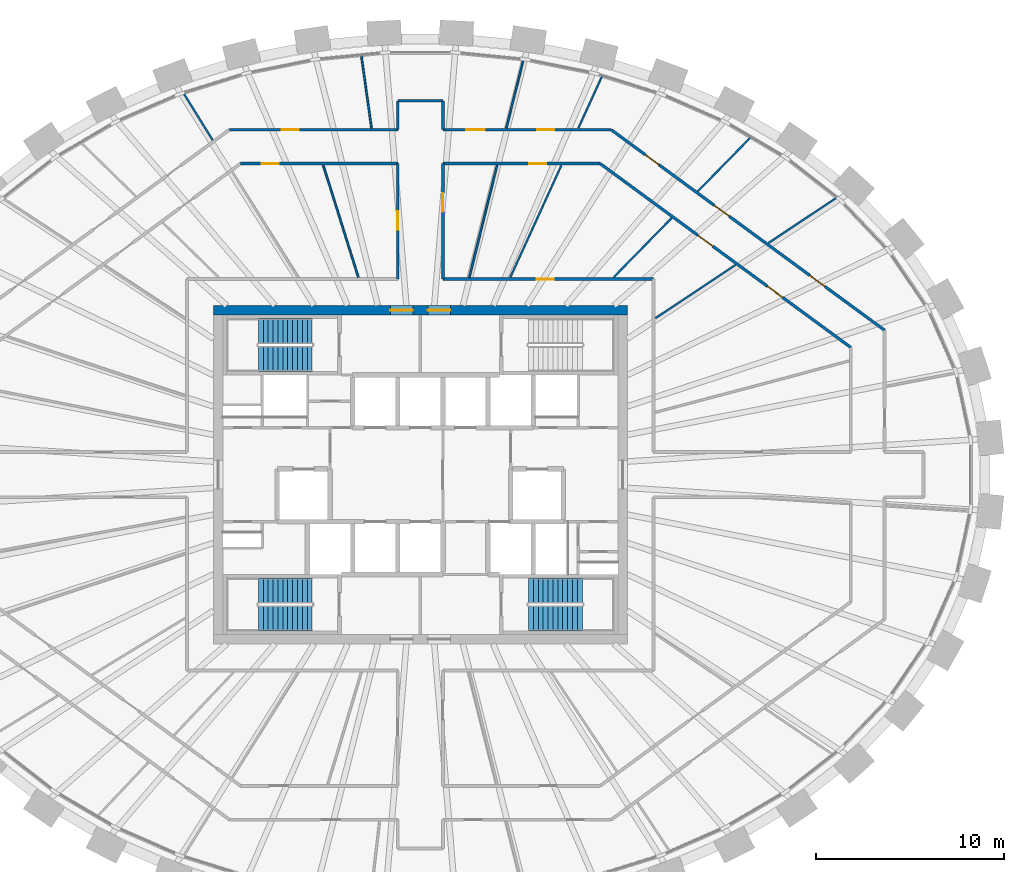
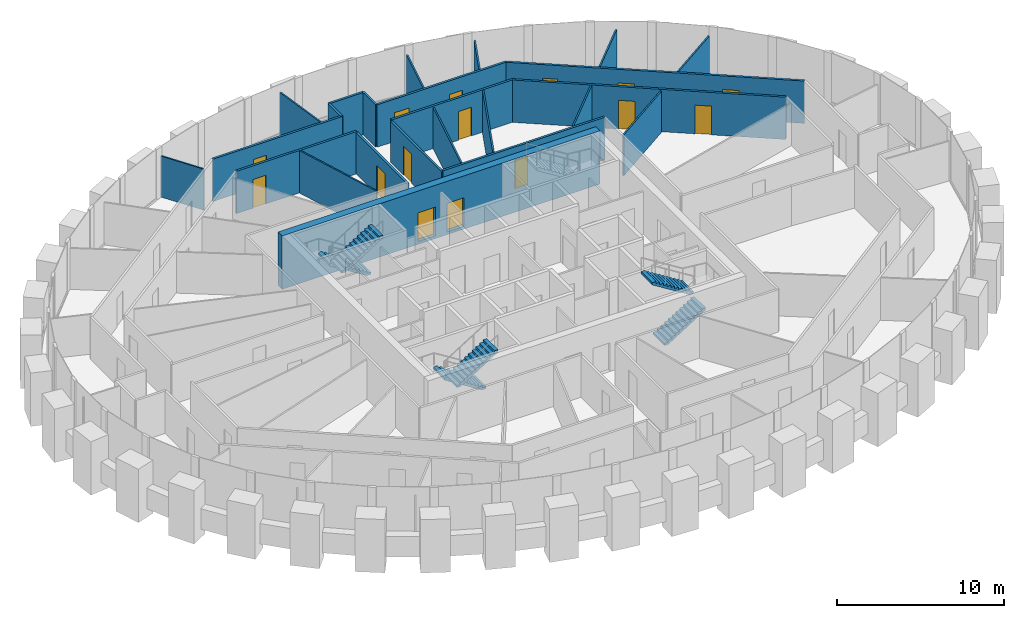
# One storey, part 10 of 12: 24 walls, 15 doors, 6 stair flights, 15 openings, 3 elements without a shape of their own.
"""IFC4 building model written with IfcOpenShell, lengths in metres."""

from ifc_helpers import new_model, si_unit, direction, frame, frame_2d, origin, place, context, subcontext, project, spatial, polyline, rectangle, outline, extrude, source, transform, mapped, material, layer, layer_set, type_object, element, fill, aggregate, save


model = new_model("IFC4")

# Units and contexts
model_context = context("Model", 3, precision=1e-05, world=origin(), true_north=direction((0.0, 1.0)))
body_context = subcontext(model_context, "Body", "Model", "MODEL_VIEW")
ifc_project = project(units=[si_unit("LENGTHUNIT", "METRE"), si_unit("AREAUNIT", "SQUARE_METRE"), si_unit("VOLUMEUNIT", "CUBIC_METRE"), si_unit("PLANEANGLEUNIT", "RADIAN"), si_unit("MASSUNIT", "GRAM", prefix="KILO")], contexts=[model_context])

# Site, building, storey
site_placement = place(None, origin())
site = spatial("IfcSite", under=ifc_project, at=site_placement, CompositionType="ELEMENT")
building_placement = place(site_placement, origin())
building = spatial("IfcBuilding", under=site, at=building_placement, Name="Embergate Tower", CompositionType="ELEMENT")
storey_placement = place(building_placement, frame((0.0, 0.0, 309.10009765625)))
storey = spatial("IfcBuildingStorey", under=building, at=storey_placement, Name="L72", CompositionType="ELEMENT", Elevation=309.10009765625)

# Wall, openings, doors
ifc_material_1 = material(Name="Concrete C50", Category="concrete")
ifc_layer_1 = layer(ifc_material_1, 0.5)
ifc_layer_set_1 = layer_set([ifc_layer_1], Name="Concrete C50")
wall_type_1 = type_object("IfcWallType", Name="Core outer wall C50 500", PredefinedType="SHEAR", material=ifc_layer_set_1)
shared_shape_1 = source(origin(), body_context, "Body", "SweptSolid", [
    extrude(rectangle(XDim=22.0, YDim=0.5, at=frame_2d((11.0, 0.0))), origin(), (0.0, 0.0, 1.0), 3.900146484375),
])
wall_1_placement = place(storey_placement, frame((-11.0, 8.75, -0.2001953125), z_axis=(0.0, 0.0, 1.0), x_axis=(1.0, 0.0, 0.0)))
wall_1 = element("IfcWall", 1, at=wall_1_placement, inside=storey, type_object=wall_type_1, Name="CW-L72-N", PredefinedType="SHEAR", context=body_context, shape_type="MappedRepresentation", body=[
    mapped(shared_shape_1, transform((0.0, 0.0, 0.0))),
])
shared_shape_2 = source(origin(), body_context, "Body", "SweptSolid", [
    extrude(rectangle(XDim=1.199951171875, YDim=2.10009765625, at=frame_2d((0.60009765625, 1.050048828125))), frame((0.0, 0.260009765625, 0.0), z_axis=(0.0, -1.0, 0.0), x_axis=(1.0, 0.0, 0.0)), (0.0, 0.0, 1.0), 0.52001953125),
])
opening_1_placement = place(wall_1_placement, frame((9.39990234375, 0.0, 0.199951171875)))
opening_1 = element("IfcOpeningElement", 2, at=opening_1_placement, cuts=wall_1, Name="Opening IF-1", PredefinedType="OPENING", context=body_context, shape_type="MappedRepresentation", body=[
    mapped(shared_shape_2, transform((0.0, 0.0, 0.0))),
])
opening_2_placement = place(wall_1_placement, frame((11.39990234375, 0.0, 0.199951171875)))
opening_2 = element("IfcOpeningElement", 3, at=opening_2_placement, cuts=wall_1, Name="Opening IF-1", PredefinedType="OPENING", context=body_context, shape_type="MappedRepresentation", body=[
    mapped(shared_shape_2, transform((0.0, 0.0, 0.0))),
])
ifc_material_2 = material(Name="Escape fire door 1200")
door_type_1 = type_object("IfcDoorType", Name="Escape fire door 1200", OperationType="SINGLE_SWING_LEFT", PredefinedType="DOOR", material=ifc_material_2)
shared_shape_3 = source(origin(), body_context, "Body", "SweptSolid", [
    extrude(rectangle(XDim=1.199951171875, YDim=2.10009765625, at=frame_2d((0.60009765625, 1.050048828125))), frame((0.0, 0.02490234375, 0.0), z_axis=(0.0, -1.0, 0.0), x_axis=(1.0, 0.0, 0.0)), (0.0, 0.0, 1.0), 0.050048828125),
])
door_1_placement = place(opening_1_placement, origin())
door_1 = element("IfcDoor", 4, at=door_1_placement, inside=storey, type_object=door_type_1, Name="IF-1 door", OperationType="SINGLE_SWING_RIGHT", OverallHeight=2.10009765625, OverallWidth=1.199951171875, PredefinedType="DOOR", context=body_context, shape_type="MappedRepresentation", body=[
    mapped(shared_shape_3, transform((0.0, 0.0, 0.0))),
])
fill(opening_1, door_1)
door_2_placement = place(opening_2_placement, origin())
door_2 = element("IfcDoor", 5, at=door_2_placement, inside=storey, type_object=door_type_1, Name="IF-1 door", OperationType="SINGLE_SWING_LEFT", OverallHeight=2.10009765625, OverallWidth=1.199951171875, PredefinedType="DOOR", context=body_context, shape_type="MappedRepresentation", body=[
    mapped(shared_shape_3, transform((0.0, 0.0, 0.0))),
])
fill(opening_2, door_2)

# Wall
ifc_material_3 = material(Name="Corridor wall dry-lined 150")
ifc_layer_2 = layer(ifc_material_3, 0.14990234375)
ifc_layer_set_2 = layer_set([ifc_layer_2], Name="Corridor wall dry-lined 150")
wall_type_2 = type_object("IfcWallType", Name="Corridor wall dry-lined 150", PredefinedType="PARTITIONING", material=ifc_layer_set_2)
shared_shape_4 = source(origin(), body_context, "Body", "SweptSolid", [
    extrude(rectangle(XDim=2.39990234375, YDim=0.14990234375, at=frame_2d((1.199951171875, 0.0))), origin(), (0.0, 0.0, 1.0), 3.099853515625),
])
wall_2_placement = place(storey_placement, frame((-1.199951171875, 19.8779296875, 0.0), z_axis=(0.0, 0.0, 1.0), x_axis=(1.0, 0.0, 0.0)))
element("IfcWall", 6, at=wall_2_placement, inside=storey, type_object=wall_type_2, Name="IP-2 wall", PredefinedType="PARTITIONING", context=body_context, shape_type="MappedRepresentation", body=[
    mapped(shared_shape_4, transform((0.0, 0.0, 0.0))),
])

# Wall, opening, door
shared_shape_5 = source(origin(), body_context, "Body", "SweptSolid", [
    extrude(rectangle(XDim=11.199951171875, YDim=0.14990234375, at=frame_2d((5.60009765625, 0.0))), origin(), (0.0, 0.0, 1.0), 3.099853515625),
])
wall_3_placement = place(storey_placement, frame((12.39990234375, 10.39990234375, 0.0), z_axis=(0.0, 0.0, 1.0), x_axis=(-1.0, 0.0, 0.0)))
wall_3 = element("IfcWall", 7, at=wall_3_placement, inside=storey, type_object=wall_type_2, Name="IP-2 wall", PredefinedType="PARTITIONING", context=body_context, shape_type="MappedRepresentation", body=[
    mapped(shared_shape_5, transform((0.0, 0.0, 0.0))),
])
shared_shape_6 = source(origin(), body_context, "Body", "SweptSolid", [
    extrude(rectangle(XDim=0.89990234375, YDim=2.10009765625, at=frame_2d((0.449951171875, 1.050048828125))), frame((0.0, 0.0849609375, 0.0), z_axis=(0.0, -1.0, 0.0), x_axis=(1.0, 0.0, 0.0)), (0.0, 0.0, 1.0), 0.169921875),
])
opening_3_placement = place(wall_3_placement, frame((5.31591796875, 0.0, 0.0)))
opening_3 = element("IfcOpeningElement", 8, at=opening_3_placement, cuts=wall_3, Name="Opening IF-1c", PredefinedType="OPENING", context=body_context, shape_type="MappedRepresentation", body=[
    mapped(shared_shape_6, transform((0.0, 0.0, 0.0))),
])
ifc_material_4 = material(Name="Escape fire door 900")
door_type_2 = type_object("IfcDoorType", Name="Escape fire door 900", OperationType="SINGLE_SWING_LEFT", PredefinedType="DOOR", material=ifc_material_4)
shared_shape_7 = source(origin(), body_context, "Body", "SweptSolid", [
    extrude(rectangle(XDim=0.89990234375, YDim=2.10009765625, at=frame_2d((0.449951171875, 1.050048828125))), frame((0.0, 0.02490234375, 0.0), z_axis=(0.0, -1.0, 0.0), x_axis=(1.0, 0.0, 0.0)), (0.0, 0.0, 1.0), 0.050048828125),
])
door_3_placement = place(opening_3_placement, origin())
door_3 = element("IfcDoor", 9, at=door_3_placement, inside=storey, type_object=door_type_2, Name="IF-1 door", OperationType="SINGLE_SWING_RIGHT", OverallHeight=2.10009765625, OverallWidth=0.89990234375, PredefinedType="DOOR", context=body_context, shape_type="MappedRepresentation", body=[
    mapped(shared_shape_7, transform((0.0, 0.0, 0.0))),
])
fill(opening_3, door_3)

shared_shape_8 = source(origin(), body_context, "Body", "SweptSolid", [
    extrude(rectangle(XDim=6.14111328125, YDim=0.14990234375, at=frame_2d((3.070556640625, 0.0))), origin(), (0.0, 0.0, 1.0), 3.0),
])
wall_4_placement = place(storey_placement, frame((-1.199951171875, 10.39990234375, 0.0), z_axis=(0.0, 0.0, 1.0), x_axis=(0.0, 1.0, 0.0)))
wall_4 = element("IfcWall", 10, at=wall_4_placement, inside=storey, type_object=wall_type_2, Name="IP-2 wall", PredefinedType="PARTITIONING", context=body_context, shape_type="MappedRepresentation", body=[
    mapped(shared_shape_8, transform((0.0, 0.0, 0.0))),
])
shared_shape_9 = source(origin(), body_context, "Body", "SweptSolid", [
    extrude(rectangle(XDim=1.0, YDim=2.10009765625, at=frame_2d((0.5, 1.050048828125))), frame((0.0, 0.0849609375, 0.0), z_axis=(0.0, -1.0, 0.0), x_axis=(1.0, 0.0, 0.0)), (0.0, 0.0, 1.0), 0.169921875),
])
opening_4_placement = place(wall_4_placement, frame((2.615966796875, 0.0, 0.0)))
opening_4 = element("IfcOpeningElement", 11, at=opening_4_placement, cuts=wall_4, Name="Opening ID-2", PredefinedType="OPENING", context=body_context, shape_type="MappedRepresentation", body=[
    mapped(shared_shape_9, transform((0.0, 0.0, 0.0))),
])
ifc_material_5 = material(Name="Interior door 1000")
door_type_3 = type_object("IfcDoorType", Name="Interior door 1000", OperationType="SINGLE_SWING_LEFT", PredefinedType="DOOR", material=ifc_material_5)
shared_shape_10 = source(origin(), body_context, "Body", "SweptSolid", [
    extrude(rectangle(XDim=1.0, YDim=2.10009765625, at=frame_2d((0.5, 1.050048828125))), frame((0.0, 0.02490234375, 0.0), z_axis=(0.0, -1.0, 0.0), x_axis=(1.0, 0.0, 0.0)), (0.0, 0.0, 1.0), 0.050048828125),
])
door_4_placement = place(opening_4_placement, origin())
door_4 = element("IfcDoor", 12, at=door_4_placement, inside=storey, type_object=door_type_3, Name="ID-2 door", OperationType="SINGLE_SWING_LEFT", OverallHeight=2.10009765625, OverallWidth=1.0, PredefinedType="DOOR", context=body_context, shape_type="MappedRepresentation", body=[
    mapped(shared_shape_10, transform((0.0, 0.0, 0.0))),
])
fill(opening_4, door_4)

wall_5_placement = place(storey_placement, frame((1.199951171875, 16.541015625, 0.0), z_axis=(0.0, 0.0, 1.0), x_axis=(0.0, -1.0, 0.0)))
wall_5 = element("IfcWall", 13, at=wall_5_placement, inside=storey, type_object=wall_type_2, Name="IP-2 wall", PredefinedType="PARTITIONING", context=body_context, shape_type="MappedRepresentation", body=[
    mapped(shared_shape_8, transform((0.0, 0.0, 0.0))),
])
opening_5_placement = place(wall_5_placement, frame((1.571044921875, 0.0, 0.0)))
opening_5 = element("IfcOpeningElement", 14, at=opening_5_placement, cuts=wall_5, Name="Opening ID-2", PredefinedType="OPENING", context=body_context, shape_type="MappedRepresentation", body=[
    mapped(shared_shape_9, transform((0.0, 0.0, 0.0))),
])
door_5_placement = place(opening_5_placement, origin())
door_5 = element("IfcDoor", 15, at=door_5_placement, inside=storey, type_object=door_type_3, Name="ID-2 door", OperationType="SINGLE_SWING_RIGHT", OverallHeight=2.10009765625, OverallWidth=1.0, PredefinedType="DOOR", context=body_context, shape_type="MappedRepresentation", body=[
    mapped(shared_shape_10, transform((0.0, 0.0, 0.0))),
])
fill(opening_5, door_5)

# Walls
ifc_material_6 = material(Name="Partition dry-lined 100")
ifc_layer_3 = layer(ifc_material_6, 0.10009765625)
ifc_layer_set_3 = layer_set([ifc_layer_3], Name="Partition dry-lined 100")
wall_type_3 = type_object("IfcWallType", Name="Partition dry-lined 100", PredefinedType="PARTITIONING", material=ifc_layer_set_3)
shared_shape_11 = source(origin(), body_context, "Body", "SweptSolid", [
    extrude(rectangle(XDim=2.9609375, YDim=0.10009765625, at=frame_2d((1.48046875, 0.0))), origin(), (0.0, 0.0, 1.0), 3.0),
])
wall_6_placement = place(storey_placement, frame((-11.035888671875, 17.780029296875, 0.0), z_axis=(0.0, 0.0, 1.0), x_axis=(-0.527231490146, 0.849721693143, 0.0)))
element("IfcWall", 16, at=wall_6_placement, inside=storey, type_object=wall_type_3, Name="IP-1 wall", PredefinedType="PARTITIONING", context=body_context, shape_type="MappedRepresentation", body=[
    mapped(shared_shape_11, transform((0.0, 0.0, 0.0))),
])
shared_shape_12 = source(origin(), body_context, "Body", "SweptSolid", [
    extrude(rectangle(XDim=3.7626953125, YDim=0.10009765625, at=frame_2d((1.88134765625, 0.0))), origin(), (0.0, 0.0, 1.0), 3.0),
])
wall_7_placement = place(storey_placement, frame((4.573974609375, 18.427978515625, 0.0), z_axis=(0.0, 0.0, 1.0), x_axis=(0.240779579239, 0.970579823725, 0.0)))
element("IfcWall", 17, at=wall_7_placement, inside=storey, type_object=wall_type_3, Name="IP-1 wall", PredefinedType="PARTITIONING", context=body_context, shape_type="MappedRepresentation", body=[
    mapped(shared_shape_12, transform((0.0, 0.0, 0.0))),
])
shared_shape_13 = source(origin(), body_context, "Body", "SweptSolid", [
    extrude(rectangle(XDim=6.148193359375, YDim=0.10009765625, at=frame_2d((3.07421875, 0.0))), origin(), (0.0, 0.0, 1.0), 3.0),
])
wall_8_placement = place(storey_placement, frame((2.60302734375, 10.487060546875, 0.0), z_axis=(0.0, 0.0, 1.0), x_axis=(0.240881463777, 0.970554542727, 0.0)))
element("IfcWall", 18, at=wall_8_placement, inside=storey, type_object=wall_type_3, Name="IP-1 wall", PredefinedType="PARTITIONING", context=body_context, shape_type="MappedRepresentation", body=[
    mapped(shared_shape_13, transform((0.0, 0.0, 0.0))),
])
shared_shape_14 = source(origin(), body_context, "Body", "SweptSolid", [
    extrude(rectangle(XDim=4.36279296875, YDim=0.10009765625, at=frame_2d((2.181396484375, 0.0))), origin(), (0.0, 0.0, 1.0), 3.0),
])
wall_9_placement = place(storey_placement, frame((18.510009765625, 12.320068359375, 0.0), z_axis=(0.0, 0.0, 1.0), x_axis=(0.832514899446, 0.554002655409, 0.0)))
element("IfcWall", 19, at=wall_9_placement, inside=storey, type_object=wall_type_3, Name="IP-1 wall", PredefinedType="PARTITIONING", context=body_context, shape_type="MappedRepresentation", body=[
    mapped(shared_shape_14, transform((0.0, 0.0, 0.0))),
])
shared_shape_15 = source(origin(), body_context, "Body", "SweptSolid", [
    extrude(rectangle(XDim=5.103271484375, YDim=0.10009765625, at=frame_2d((2.5517578125, 0.0))), origin(), (0.0, 0.0, 1.0), 3.0),
])
wall_10_placement = place(storey_placement, frame((12.5029296875, 8.322021484375, 0.0), z_axis=(0.0, 0.0, 1.0), x_axis=(0.832425468101, 0.554137022817, 0.0)))
element("IfcWall", 20, at=wall_10_placement, inside=storey, type_object=wall_type_3, Name="IP-1 wall", PredefinedType="PARTITIONING", context=body_context, shape_type="MappedRepresentation", body=[
    mapped(shared_shape_15, transform((0.0, 0.0, 0.0))),
])

# Wall, openings, doors
shared_shape_16 = source(origin(), body_context, "Body", "SweptSolid", [
    extrude(rectangle(XDim=18.027099609375, YDim=0.14990234375, at=frame_2d((9.013671875, 0.0))), origin(), (0.0, 0.0, 1.0), 3.099853515625),
])
wall_11_placement = place(storey_placement, frame((24.681884765625, 7.679931640625, 0.0), z_axis=(0.0, 0.0, 1.0), x_axis=(-0.80638475932, 0.591391257914, 0.0)))
wall_11 = element("IfcWall", 21, at=wall_11_placement, inside=storey, type_object=wall_type_2, Name="IP-2 wall", PredefinedType="PARTITIONING", context=body_context, shape_type="MappedRepresentation", body=[
    mapped(shared_shape_16, transform((0.0, 0.0, 0.0))),
])
opening_6_placement = place(wall_11_placement, frame((3.932861328125, 0.0, 0.0)))
opening_6 = element("IfcOpeningElement", 22, at=opening_6_placement, cuts=wall_11, Name="Opening ID-2", PredefinedType="OPENING", context=body_context, shape_type="MappedRepresentation", body=[
    mapped(shared_shape_9, transform((0.0, 0.0, 0.0))),
])
opening_7_placement = place(wall_11_placement, frame((10.23876953125, 0.0, 0.0)))
opening_7 = element("IfcOpeningElement", 23, at=opening_7_placement, cuts=wall_11, Name="Opening ID-2", PredefinedType="OPENING", context=body_context, shape_type="MappedRepresentation", body=[
    mapped(shared_shape_9, transform((0.0, 0.0, 0.0))),
])
opening_8_placement = place(wall_11_placement, frame((14.87939453125, 0.0, 0.0)))
opening_8 = element("IfcOpeningElement", 24, at=opening_8_placement, cuts=wall_11, Name="Opening IF-1c", PredefinedType="OPENING", context=body_context, shape_type="MappedRepresentation", body=[
    mapped(shared_shape_6, transform((0.0, 0.0, 0.0))),
])
door_6_placement = place(opening_8_placement, origin())
door_6 = element("IfcDoor", 25, at=door_6_placement, inside=storey, type_object=door_type_2, Name="IF-1 door", OperationType="SINGLE_SWING_LEFT", OverallHeight=2.10009765625, OverallWidth=0.89990234375, PredefinedType="DOOR", context=body_context, shape_type="MappedRepresentation", body=[
    mapped(shared_shape_7, transform((0.0, 0.0, 0.0))),
])
fill(opening_8, door_6)
door_7_placement = place(opening_6_placement, origin())
door_7 = element("IfcDoor", 26, at=door_7_placement, inside=storey, type_object=door_type_3, Name="ID-2 door", OperationType="SINGLE_SWING_LEFT", OverallHeight=2.10009765625, OverallWidth=1.0, PredefinedType="DOOR", context=body_context, shape_type="MappedRepresentation", body=[
    mapped(shared_shape_10, transform((0.0, 0.0, 0.0))),
])
fill(opening_6, door_7)
door_8_placement = place(opening_7_placement, origin())
door_8 = element("IfcDoor", 27, at=door_8_placement, inside=storey, type_object=door_type_3, Name="ID-2 door", OperationType="SINGLE_SWING_LEFT", OverallHeight=2.10009765625, OverallWidth=1.0, PredefinedType="DOOR", context=body_context, shape_type="MappedRepresentation", body=[
    mapped(shared_shape_10, transform((0.0, 0.0, 0.0))),
])
fill(opening_7, door_8)

shared_shape_17 = source(origin(), body_context, "Body", "SweptSolid", [
    extrude(rectangle(XDim=16.525634765625, YDim=0.14990234375, at=frame_2d((8.2626953125, 0.0))), origin(), (0.0, 0.0, 1.0), 3.099853515625),
])
wall_12_placement = place(storey_placement, frame((9.555908203125, 16.541015625, 0.0), z_axis=(0.0, 0.0, 1.0), x_axis=(0.806392784122, -0.591380315631, 0.0)))
wall_12 = element("IfcWall", 28, at=wall_12_placement, inside=storey, type_object=wall_type_2, Name="IP-2 wall", PredefinedType="PARTITIONING", context=body_context, shape_type="MappedRepresentation", body=[
    mapped(shared_shape_17, transform((0.0, 0.0, 0.0))),
])
opening_9_placement = place(wall_12_placement, frame((11.03271484375, 0.0, 0.0)))
opening_9 = element("IfcOpeningElement", 29, at=opening_9_placement, cuts=wall_12, Name="Opening ID-2", PredefinedType="OPENING", context=body_context, shape_type="MappedRepresentation", body=[
    mapped(shared_shape_9, transform((0.0, 0.0, 0.0))),
])
opening_10_placement = place(wall_12_placement, frame((6.4345703125, 0.0, 0.0)))
opening_10 = element("IfcOpeningElement", 30, at=opening_10_placement, cuts=wall_12, Name="Opening ID-2", PredefinedType="OPENING", context=body_context, shape_type="MappedRepresentation", body=[
    mapped(shared_shape_9, transform((0.0, 0.0, 0.0))),
])
door_9_placement = place(opening_9_placement, origin())
door_9 = element("IfcDoor", 31, at=door_9_placement, inside=storey, type_object=door_type_3, Name="ID-2 door", OperationType="SINGLE_SWING_RIGHT", OverallHeight=2.10009765625, OverallWidth=1.0, PredefinedType="DOOR", context=body_context, shape_type="MappedRepresentation", body=[
    mapped(shared_shape_10, transform((0.0, 0.0, 0.0))),
])
fill(opening_9, door_9)
door_10_placement = place(opening_10_placement, origin())
door_10 = element("IfcDoor", 32, at=door_10_placement, inside=storey, type_object=door_type_3, Name="ID-2 door", OperationType="SINGLE_SWING_LEFT", OverallHeight=2.10009765625, OverallWidth=1.0, PredefinedType="DOOR", context=body_context, shape_type="MappedRepresentation", body=[
    mapped(shared_shape_10, transform((0.0, 0.0, 0.0))),
])
fill(opening_10, door_10)

shared_shape_18 = source(origin(), body_context, "Body", "SweptSolid", [
    extrude(rectangle(XDim=8.945068359375, YDim=0.14990234375, at=frame_2d((4.47265625, 0.0))), origin(), (0.0, 0.0, 1.0), 3.099853515625),
])
wall_13_placement = place(storey_placement, frame((10.14501953125, 18.341064453125, 0.0), z_axis=(0.0, 0.0, 1.0), x_axis=(-1.0, 0.0, 0.0)))
wall_13 = element("IfcWall", 33, at=wall_13_placement, inside=storey, type_object=wall_type_2, Name="IP-2 wall", PredefinedType="PARTITIONING", context=body_context, shape_type="MappedRepresentation", body=[
    mapped(shared_shape_18, transform((0.0, 0.0, 0.0))),
])
opening_11_placement = place(wall_13_placement, frame((3.0302734375, 0.0, 0.0)))
opening_11 = element("IfcOpeningElement", 34, at=opening_11_placement, cuts=wall_13, Name="Opening IF-1c", PredefinedType="OPENING", context=body_context, shape_type="MappedRepresentation", body=[
    mapped(shared_shape_6, transform((0.0, 0.0, 0.0))),
])
opening_12_placement = place(wall_13_placement, frame((6.71630859375, 0.0, 0.0)))
opening_12 = element("IfcOpeningElement", 35, at=opening_12_placement, cuts=wall_13, Name="Opening ID-2", PredefinedType="OPENING", context=body_context, shape_type="MappedRepresentation", body=[
    mapped(shared_shape_9, transform((0.0, 0.0, 0.0))),
])
door_11_placement = place(opening_11_placement, origin())
door_11 = element("IfcDoor", 36, at=door_11_placement, inside=storey, type_object=door_type_2, Name="IF-1 door", OperationType="SINGLE_SWING_LEFT", OverallHeight=2.10009765625, OverallWidth=0.89990234375, PredefinedType="DOOR", context=body_context, shape_type="MappedRepresentation", body=[
    mapped(shared_shape_7, transform((0.0, 0.0, 0.0))),
])
fill(opening_11, door_11)
door_12_placement = place(opening_12_placement, origin())
door_12 = element("IfcDoor", 37, at=door_12_placement, inside=storey, type_object=door_type_3, Name="ID-2 door", OperationType="SINGLE_SWING_RIGHT", OverallHeight=2.10009765625, OverallWidth=1.0, PredefinedType="DOOR", context=body_context, shape_type="MappedRepresentation", body=[
    mapped(shared_shape_10, transform((0.0, 0.0, 0.0))),
])
fill(opening_12, door_12)

# Wall, opening, door
wall_14_placement = place(storey_placement, frame((-10.14501953125, 18.341064453125, 0.0), z_axis=(0.0, 0.0, 1.0), x_axis=(1.0, 0.0, 0.0)))
wall_14 = element("IfcWall", 38, at=wall_14_placement, inside=storey, type_object=wall_type_2, Name="IP-2 wall", PredefinedType="PARTITIONING", context=body_context, shape_type="MappedRepresentation", body=[
    mapped(shared_shape_18, transform((0.0, 0.0, 0.0))),
])
opening_13_placement = place(wall_14_placement, frame((2.787353515625, 0.0, 0.0)))
opening_13 = element("IfcOpeningElement", 39, at=opening_13_placement, cuts=wall_14, Name="Opening IF-1c", PredefinedType="OPENING", context=body_context, shape_type="MappedRepresentation", body=[
    mapped(shared_shape_6, transform((0.0, 0.0, 0.0))),
])
door_13_placement = place(opening_13_placement, origin())
door_13 = element("IfcDoor", 40, at=door_13_placement, inside=storey, type_object=door_type_2, Name="IF-1 door", OperationType="SINGLE_SWING_RIGHT", OverallHeight=2.10009765625, OverallWidth=0.89990234375, PredefinedType="DOOR", context=body_context, shape_type="MappedRepresentation", body=[
    mapped(shared_shape_7, transform((0.0, 0.0, 0.0))),
])
fill(opening_13, door_13)

# Walls
shared_shape_19 = source(origin(), body_context, "Body", "SweptSolid", [
    extrude(rectangle(XDim=1.536865234375, YDim=0.14990234375, at=frame_2d((0.7685546875, 0.0))), origin(), (0.0, 0.0, 1.0), 3.099853515625),
])
for number, where, z_axis, x_axis, name in (
    (41, (-1.199951171875, 18.341064453125, 0.0), (0.0, 0.0, 1.0), (0.0, 1.0, 0.0), "IP-2 wall"),
    (42, (1.199951171875, 19.8779296875, 0.0), (0.0, 0.0, 1.0), (0.0, -1.0, 0.0), "IP-2 wall"),
):
    element("IfcWall", number, at=place(storey_placement, frame(where, z_axis=z_axis, x_axis=x_axis)), inside=storey, type_object=wall_type_2, Name=name, PredefinedType="PARTITIONING", context=body_context, shape_type="MappedRepresentation", body=[
        mapped(shared_shape_19, transform((0.0, 0.0, 0.0))),
    ])

# Wall, opening, door
shared_shape_20 = source(origin(), body_context, "Body", "SweptSolid", [
    extrude(rectangle(XDim=8.35595703125, YDim=0.14990234375, at=frame_2d((4.177978515625, 0.0))), origin(), (0.0, 0.0, 1.0), 3.099853515625),
])
wall_15_placement = place(storey_placement, frame((9.555908203125, 16.541015625, 0.0), z_axis=(0.0, 0.0, 1.0), x_axis=(-1.0, 0.0, 0.0)))
wall_15 = element("IfcWall", 43, at=wall_15_placement, inside=storey, type_object=wall_type_2, Name="IP-2 wall", PredefinedType="PARTITIONING", context=body_context, shape_type="MappedRepresentation", body=[
    mapped(shared_shape_20, transform((0.0, 0.0, 0.0))),
])
opening_14_placement = place(wall_15_placement, frame((2.85693359375, 0.0, 0.0)))
opening_14 = element("IfcOpeningElement", 44, at=opening_14_placement, cuts=wall_15, Name="Opening IF-1c", PredefinedType="OPENING", context=body_context, shape_type="MappedRepresentation", body=[
    mapped(shared_shape_6, transform((0.0, 0.0, 0.0))),
])
door_14_placement = place(opening_14_placement, origin())
door_14 = element("IfcDoor", 45, at=door_14_placement, inside=storey, type_object=door_type_2, Name="IF-1 door", OperationType="SINGLE_SWING_RIGHT", OverallHeight=2.10009765625, OverallWidth=0.89990234375, PredefinedType="DOOR", context=body_context, shape_type="MappedRepresentation", body=[
    mapped(shared_shape_7, transform((0.0, 0.0, 0.0))),
])
fill(opening_14, door_14)

wall_16_placement = place(storey_placement, frame((-1.199951171875, 16.541015625, 0.0), z_axis=(0.0, 0.0, 1.0), x_axis=(-1.0, 0.0, 0.0)))
wall_16 = element("IfcWall", 46, at=wall_16_placement, inside=storey, type_object=wall_type_2, Name="IP-2 wall", PredefinedType="PARTITIONING", context=body_context, shape_type="MappedRepresentation", body=[
    mapped(shared_shape_20, transform((0.0, 0.0, 0.0))),
])
opening_15_placement = place(wall_16_placement, frame((6.323974609375, 0.0, 0.0)))
opening_15 = element("IfcOpeningElement", 47, at=opening_15_placement, cuts=wall_16, Name="Opening IF-1c", PredefinedType="OPENING", context=body_context, shape_type="MappedRepresentation", body=[
    mapped(shared_shape_6, transform((0.0, 0.0, 0.0))),
])
door_15_placement = place(opening_15_placement, origin())
door_15 = element("IfcDoor", 48, at=door_15_placement, inside=storey, type_object=door_type_2, Name="IF-1 door", OperationType="SINGLE_SWING_LEFT", OverallHeight=2.10009765625, OverallWidth=0.89990234375, PredefinedType="DOOR", context=body_context, shape_type="MappedRepresentation", body=[
    mapped(shared_shape_7, transform((0.0, 0.0, 0.0))),
])
fill(opening_15, door_15)

# Walls
shared_shape_21 = source(origin(), body_context, "Body", "SweptSolid", [
    extrude(rectangle(XDim=4.0732421875, YDim=0.10009765625, at=frame_2d((2.03662109375, 0.0))), origin(), (0.0, 0.0, 1.0), 3.099853515625),
])
wall_17_placement = place(storey_placement, frame((17.60009765625, 17.97607421875, 0.0), z_axis=(0.0, 0.0, 1.0), x_axis=(-0.699696186737, -0.714440512755, 0.0)))
element("IfcWall", 49, at=wall_17_placement, inside=storey, type_object=wall_type_3, Name="IP-1 wall", PredefinedType="PARTITIONING", context=body_context, shape_type="MappedRepresentation", body=[
    mapped(shared_shape_21, transform((0.0, 0.0, 0.0))),
])
shared_shape_22 = source(origin(), body_context, "Body", "SweptSolid", [
    extrude(rectangle(XDim=3.053466796875, YDim=0.10009765625, at=frame_2d((1.52685546875, 0.0))), origin(), (0.0, 0.0, 1.0), 3.099853515625),
])
wall_18_placement = place(storey_placement, frame((8.405029296875, 18.43701171875, 0.0), z_axis=(0.0, 0.0, 1.0), x_axis=(0.414977311881, 0.909831759516, 0.0)))
element("IfcWall", 50, at=wall_18_placement, inside=storey, type_object=wall_type_3, Name="IP-1 wall", PredefinedType="PARTITIONING", context=body_context, shape_type="MappedRepresentation", body=[
    mapped(shared_shape_22, transform((0.0, 0.0, 0.0))),
])
shared_shape_23 = source(origin(), body_context, "Body", "SweptSolid", [
    extrude(rectangle(XDim=4.391357421875, YDim=0.10009765625, at=frame_2d((2.19580078125, 0.0))), origin(), (0.0, 0.0, 1.0), 3.099853515625),
])
wall_19_placement = place(storey_placement, frame((13.362060546875, 13.64794921875, 0.0), z_axis=(0.0, 0.0, 1.0), x_axis=(-0.699561519346, -0.714572376075, 0.0)))
element("IfcWall", 51, at=wall_19_placement, inside=storey, type_object=wall_type_3, Name="IP-1 wall", PredefinedType="PARTITIONING", context=body_context, shape_type="MappedRepresentation", body=[
    mapped(shared_shape_23, transform((0.0, 0.0, 0.0))),
])
shared_shape_24 = source(origin(), body_context, "Body", "SweptSolid", [
    extrude(rectangle(XDim=6.5380859375, YDim=0.10009765625, at=frame_2d((3.26904296875, 0.0))), origin(), (0.0, 0.0, 1.0), 3.099853515625),
])
wall_20_placement = place(storey_placement, frame((4.784912109375, 10.49609375, 0.0), z_axis=(0.0, 0.0, 1.0), x_axis=(0.414826760425, 0.909900411493, 0.0)))
element("IfcWall", 52, at=wall_20_placement, inside=storey, type_object=wall_type_3, Name="IP-1 wall", PredefinedType="PARTITIONING", context=body_context, shape_type="MappedRepresentation", body=[
    mapped(shared_shape_24, transform((0.0, 0.0, 0.0))),
])
shared_shape_25 = source(origin(), body_context, "Body", "SweptSolid", [
    extrude(rectangle(XDim=3.96240234375, YDim=0.10009765625, at=frame_2d((1.981201171875, 0.0))), origin(), (0.0, 0.0, 1.0), 3.099853515625),
])
wall_21_placement = place(storey_placement, frame((-2.594970703125, 18.423095703125, 0.0), z_axis=(0.0, 0.0, 1.0), x_axis=(-0.139307697399, 0.990249143118, 0.0)))
element("IfcWall", 53, at=wall_21_placement, inside=storey, type_object=wall_type_3, Name="IP-1 wall", PredefinedType="PARTITIONING", context=body_context, shape_type="MappedRepresentation", body=[
    mapped(shared_shape_25, transform((0.0, 0.0, 0.0))),
])
shared_shape_26 = source(origin(), body_context, "Body", "SweptSolid", [
    extrude(rectangle(XDim=6.247802734375, YDim=0.10009765625, at=frame_2d((3.1240234375, 0.0))), origin(), (0.0, 0.0, 1.0), 3.099853515625),
])
wall_22_placement = place(storey_placement, frame((-3.29296875, 10.489990234375, 0.0), z_axis=(0.0, 0.0, 1.0), x_axis=(-0.299485162949, 0.954100957537, 0.0)))
element("IfcWall", 54, at=wall_22_placement, inside=storey, type_object=wall_type_3, Name="IP-1 wall", PredefinedType="PARTITIONING", context=body_context, shape_type="MappedRepresentation", body=[
    mapped(shared_shape_26, transform((0.0, 0.0, 0.0))),
])

# Stair, stair flights
ifc_material_7 = material(Name="Exit stair")
stair_type = type_object("IfcStairType", Name="Exit stair", PredefinedType="HALF_TURN_STAIR", material=ifc_material_7)
stair_1_placement = place(storey_placement, origin())
stair_1 = element("IfcStair", 55, at=stair_1_placement, inside=storey, type_object=stair_type, Name="L72 Exit stair 1", PredefinedType="HALF_TURN_STAIR")
ifc_material_8 = material(Name="Concrete C40", Category="concrete")
stair_flight_type = type_object("IfcStairFlightType", Name="Stair flight reinforced concrete", PredefinedType="STRAIGHT", material=ifc_material_8)
shared_shape_27 = source(origin(), body_context, "Body", "SweptSolid", [
    extrude(outline(polyline([(0.0, 0.0), (0.0, 0.16259765625), (0.260009765625, 0.16259765625), (0.260009765625, 0.324951171875), (0.52001953125, 0.324951171875), (0.52001953125, 0.487548828125), (0.780029296875, 0.487548828125), (0.780029296875, 0.64990234375), (1.0400390625, 0.64990234375), (1.0400390625, 0.8125), (1.300048828125, 0.8125), (1.300048828125, 0.97509765625), (1.56005859375, 0.97509765625), (1.56005859375, 1.137451171875), (1.820068359375, 1.137451171875), (1.820068359375, 1.300048828125), (2.080078125, 1.300048828125), (2.080078125, 1.46240234375), (2.340087890625, 1.46240234375), (2.340087890625, 1.625), (2.60009765625, 1.625), (2.60009765625, 1.78759765625), (2.860107421875, 1.78759765625), (2.860107421875, 1.949951171875), (2.860107421875, 1.61083984375), (0.28271484375, 0.0), (0.0, 0.0)])), frame((0.0, 0.675048828125, 0.0), z_axis=(0.0, -1.0, 0.0), x_axis=(1.0, 0.0, 0.0)), (0.0, 0.0, 1.0), 1.35009765625),
])
stair_flight_1_placement = place(storey_placement, frame((-5.75, 7.625, 0.0), z_axis=(0.0, 0.0, 1.0), x_axis=(-1.0, 0.0, 0.0)))
stair_flight_1 = element("IfcStairFlight", 56, at=stair_flight_1_placement, type_object=stair_flight_type, Name="ST1 flight 1", NumberOfRisers=12, NumberOfTreads=11, PredefinedType="STRAIGHT", RiserHeight=0.1625, TreadLength=0.26, context=body_context, shape_type="MappedRepresentation", body=[
    mapped(shared_shape_27, transform((0.0, 0.0, 0.0))),
])
stair_flight_2_placement = place(storey_placement, frame((-8.610107421875, 6.175048828125, 1.949951171875), z_axis=(0.0, 0.0, 1.0), x_axis=(1.0, 0.0, 0.0)))
stair_flight_2 = element("IfcStairFlight", 57, at=stair_flight_2_placement, type_object=stair_flight_type, Name="ST1 flight 2", NumberOfRisers=12, NumberOfTreads=11, PredefinedType="STRAIGHT", RiserHeight=0.1625, TreadLength=0.26, context=body_context, shape_type="MappedRepresentation", body=[
    mapped(shared_shape_27, transform((0.0, 0.0, 0.0))),
])
aggregate(stair_1, [stair_flight_1, stair_flight_2])

stair_2_placement = place(storey_placement, origin())
stair_2 = element("IfcStair", 58, at=stair_2_placement, inside=storey, type_object=stair_type, Name="L72 Exit stair 3", PredefinedType="HALF_TURN_STAIR")
stair_flight_3_placement = place(storey_placement, frame((-5.75, -6.175048828125, 0.0), z_axis=(0.0, 0.0, 1.0), x_axis=(-1.0, 0.0, 0.0)))
stair_flight_3 = element("IfcStairFlight", 59, at=stair_flight_3_placement, type_object=stair_flight_type, Name="ST3 flight 1", NumberOfRisers=12, NumberOfTreads=11, PredefinedType="STRAIGHT", RiserHeight=0.1625, TreadLength=0.26, context=body_context, shape_type="MappedRepresentation", body=[
    mapped(shared_shape_27, transform((0.0, 0.0, 0.0))),
])
stair_flight_4_placement = place(storey_placement, frame((-8.610107421875, -7.625, 1.949951171875), z_axis=(0.0, 0.0, 1.0), x_axis=(1.0, 0.0, 0.0)))
stair_flight_4 = element("IfcStairFlight", 60, at=stair_flight_4_placement, type_object=stair_flight_type, Name="ST3 flight 2", NumberOfRisers=12, NumberOfTreads=11, PredefinedType="STRAIGHT", RiserHeight=0.1625, TreadLength=0.26, context=body_context, shape_type="MappedRepresentation", body=[
    mapped(shared_shape_27, transform((0.0, 0.0, 0.0))),
])
aggregate(stair_2, [stair_flight_3, stair_flight_4])

stair_3_placement = place(storey_placement, origin())
stair_3 = element("IfcStair", 61, at=stair_3_placement, inside=storey, type_object=stair_type, Name="L72 Exit stair 4", PredefinedType="HALF_TURN_STAIR")
stair_flight_5_placement = place(storey_placement, frame((5.75, -7.625, 0.0), z_axis=(0.0, 0.0, 1.0), x_axis=(1.0, 0.0, 0.0)))
stair_flight_5 = element("IfcStairFlight", 62, at=stair_flight_5_placement, type_object=stair_flight_type, Name="ST4 flight 1", NumberOfRisers=12, NumberOfTreads=11, PredefinedType="STRAIGHT", RiserHeight=0.1625, TreadLength=0.26, context=body_context, shape_type="MappedRepresentation", body=[
    mapped(shared_shape_27, transform((0.0, 0.0, 0.0))),
])
stair_flight_6_placement = place(storey_placement, frame((8.610107421875, -6.175048828125, 1.949951171875), z_axis=(0.0, 0.0, 1.0), x_axis=(-1.0, 0.0, 0.0)))
stair_flight_6 = element("IfcStairFlight", 63, at=stair_flight_6_placement, type_object=stair_flight_type, Name="ST4 flight 2", NumberOfRisers=12, NumberOfTreads=11, PredefinedType="STRAIGHT", RiserHeight=0.1625, TreadLength=0.26, context=body_context, shape_type="MappedRepresentation", body=[
    mapped(shared_shape_27, transform((0.0, 0.0, 0.0))),
])
aggregate(stair_3, [stair_flight_5, stair_flight_6])

save(model, "model.ifc")
